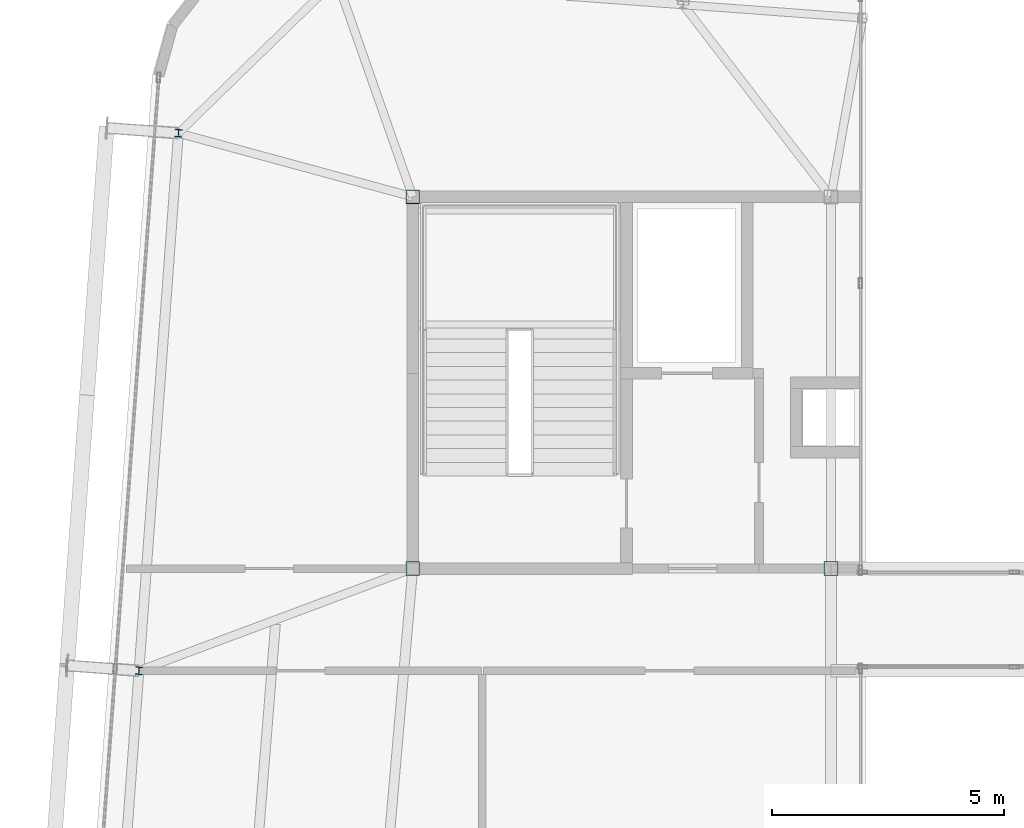
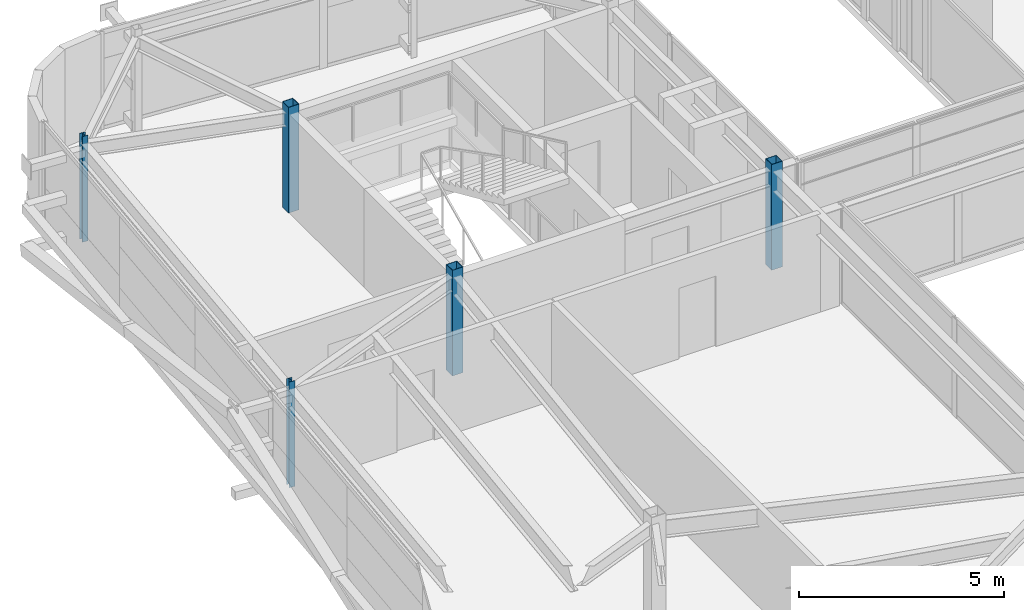
# One storey, part 3 of 39: 5 columns.
"""IFC4 building model written with IfcOpenShell, lengths in metres."""

from ifc_helpers import new_model, si_unit, direction, frame, origin, origin_2d, place, context, subcontext, project, spatial, hollow_rectangle, i_section, extrude, source, transform, mapped, material, material_profile, profile_set, type_object, element, save


model = new_model("IFC4")

# Units and contexts
model_context = context("Model", 3, precision=1e-05, world=origin(), true_north=direction((0.0, 1.0)))
body_context = subcontext(model_context, "Body", "Model", "MODEL_VIEW")
ifc_project = project(units=[si_unit("LENGTHUNIT", "METRE"), si_unit("AREAUNIT", "SQUARE_METRE"), si_unit("VOLUMEUNIT", "CUBIC_METRE"), si_unit("PLANEANGLEUNIT", "RADIAN"), si_unit("MASSUNIT", "GRAM", prefix="KILO")], contexts=[model_context])

# Site, building, storey
site_placement = place(None, origin())
site = spatial("IfcSite", under=ifc_project, at=site_placement, CompositionType="ELEMENT")
building_placement = place(site_placement, origin())
building = spatial("IfcBuilding", under=site, at=building_placement, Name="Taldren Reach Tower", CompositionType="ELEMENT")
storey_placement = place(building_placement, frame((0.0, 0.0, 230.300048828125)))
storey = spatial("IfcBuildingStorey", under=building, at=storey_placement, Name="L70", CompositionType="ELEMENT", Elevation=230.300048828125)

# Columns
ifc_material_1 = material(Name="Steel Gr 450 (C450L0)", Category="steel")
ifc_material_profile_1 = material_profile(ifc_material_1, hollow_rectangle(XDim=0.300048828125, YDim=0.300048828125, WallThickness=0.012451171875, at=origin_2d()), Name="300x300x12.5SHS")
ifc_profile_set_1 = profile_set([ifc_material_profile_1], Name="Steel Gr 450 (C450L0)")
column_type_1 = type_object("IfcColumnType", Name="COL-SHS300", PredefinedType="COLUMN", material=ifc_profile_set_1)
shared_shape_1 = source(origin(), body_context, "Body", "SweptSolid", [
    extrude(hollow_rectangle(XDim=0.300048828125, YDim=0.300048828125, WallThickness=0.012451171875, at=origin_2d()), origin(), (0.0, 0.0, 1.0), 3.14990234375),
])
for number, where, z_axis, x_axis, name in (
    (1, (19.0, 24.0, 0.0), (0.0, 0.0, 1.0), (1.0, 0.0, 0.0), "Mega column MC-C1 L70"),
    (2, (28.0, 24.0, 0.0), (0.0, 0.0, 1.0), (1.0, 0.0, 0.0), "Mega column MC-C2 L70"),
    (3, (19.0, 32.0, 0.0), (0.0, 0.0, 1.0), (1.0, 0.0, 0.0), "Mega column MC-C5 L70"),
):
    element("IfcColumn", number, at=place(storey_placement, frame(where, z_axis=z_axis, x_axis=x_axis)), inside=storey, type_object=column_type_1, Name=name, PredefinedType="COLUMN", context=body_context, shape_type="MappedRepresentation", body=[
        mapped(shared_shape_1, transform((0.0, 0.0, 0.0), scale=1.0)),
    ])
ifc_material_2 = material(Name="Steel Gr 350 (350PLUS)", Category="steel")
ifc_material_profile_2 = material_profile(ifc_material_2, i_section(OverallWidth=0.154052734375, OverallDepth=0.162109375, WebThickness=0.008056640625, FlangeThickness=0.011474609375, at=origin_2d()), Name="150UC37.2")
ifc_profile_set_2 = profile_set([ifc_material_profile_2], Name="Steel Gr 350 (350PLUS)")
column_type_2 = type_object("IfcColumnType", Name="COL-UC150", PredefinedType="COLUMN", material=ifc_profile_set_2)
shared_shape_2 = source(origin(), body_context, "Body", "SweptSolid", [
    extrude(i_section(OverallWidth=0.154052734375, OverallDepth=0.162109375, WebThickness=0.008056640625, FlangeThickness=0.011474609375, at=origin_2d()), origin(), (0.0, 0.0, 1.0), 3.14990234375),
])
for number, where, z_axis, x_axis, name in (
    (4, (13.108642578125, 21.80029296875, 0.0), (0.0, 0.0, 1.0), (0.997314477224, -0.073238197128, 0.0), "Block B5 perimeter column W2 L70"),
    (5, (13.958251953125, 33.369140625, 0.0), (0.0, 0.0, 1.0), (0.997314477224, -0.073238197128, 0.0), "Block B5 perimeter column W3 L70"),
):
    element("IfcColumn", number, at=place(storey_placement, frame(where, z_axis=z_axis, x_axis=x_axis)), inside=storey, type_object=column_type_2, Name=name, PredefinedType="COLUMN", context=body_context, shape_type="MappedRepresentation", body=[
        mapped(shared_shape_2, transform((0.0, 0.0, 0.0), scale=1.0)),
    ])

save(model, "model.ifc")
